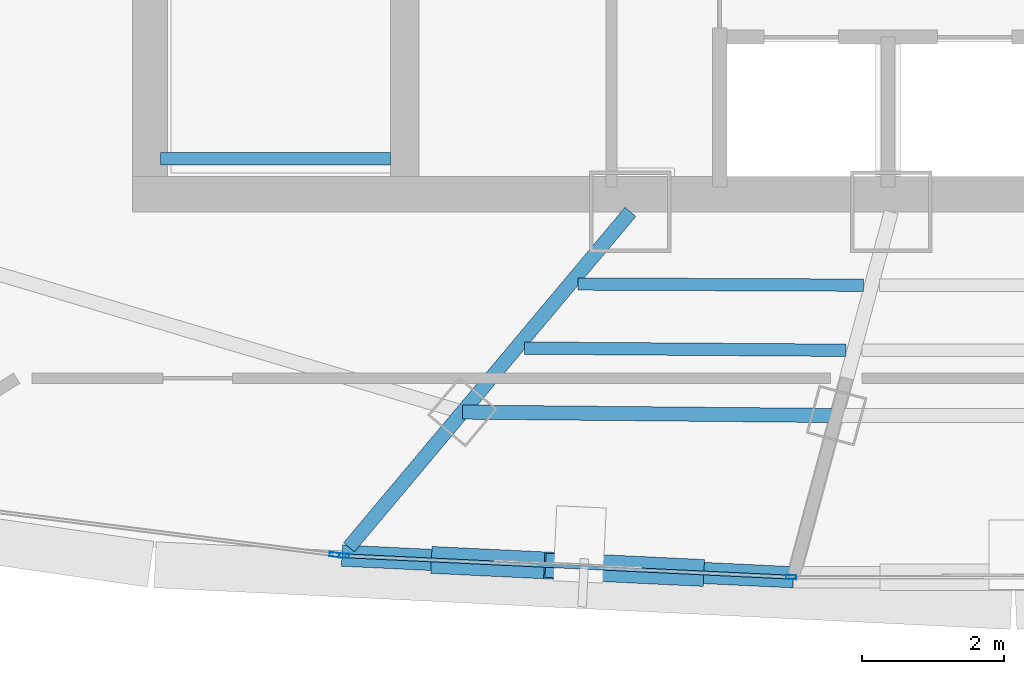
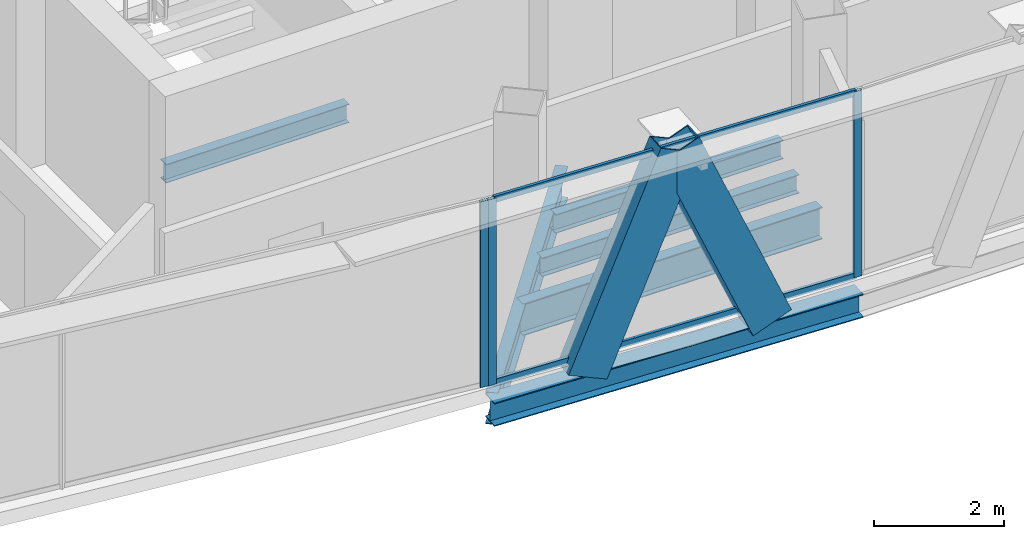
# One storey, part 4 of 30: 7 members, 6 beams, 2 elements without a shape of their own.
"""IFC4 building model written with IfcOpenShell, lengths in metres."""

import ifcopenshell
import ifcopenshell.guid

model = None  # the IFC model being written
_history = None  # IfcOwnerHistory: only IFC2X3 demands one
_inside = {}  # id of a spatial element -> (the spatial element, [elements in it])
_under = {}  # id of a project, library or spatial element -> (it, [spatial elements below it])
_declared = {}  # id of a project -> (the project, [libraries it declares])
_typed = {}  # id of a type object -> (the type object, [elements of that type])
_made_of = {}  # id of a material, layer set ... -> (it, [elements and type objects made of it])


def new_model(schema):
    """Start an empty IFC model of exactly this schema.

    Asked for "IFC4X3", IfcOpenShell would pick the latest addendum, in which some entities
    have other attributes; the version numbers below select the first issue.
    IFC2X3 requires an IfcOwnerHistory on every rooted entity: one is made here for all.
    """
    global model, _history
    if schema == "IFC4X3":
        model = ifcopenshell.file(schema_version=(4, 3, 0, 0))
    else:
        model = ifcopenshell.file(schema=schema)
    _inside.clear()
    _under.clear()
    _declared.clear()
    _typed.clear()
    _made_of.clear()
    _history = None
    if model.schema == "IFC2X3":
        org = make("IfcOrganization", Name="unknown")
        user = make(
            "IfcPersonAndOrganization",
            ThePerson=make("IfcPerson", FamilyName="unknown"),
            TheOrganization=org,
        )
        app = make(
            "IfcApplication",
            ApplicationDeveloper=org,
            Version="unknown",
            ApplicationFullName="unknown",
            ApplicationIdentifier="unknown",
        )
        _history = make(
            "IfcOwnerHistory",
            OwningUser=user,
            OwningApplication=app,
            ChangeAction="ADDED",
            CreationDate=0,
        )
    return model


def make(cls, **values):
    """One entity of the class cls with the attributes given. An attribute that is None is left unset."""
    return model.create_entity(
        cls, **{name: value for name, value in values.items() if value is not None}
    )


def rooted(cls, **values):
    """An entity with a GlobalId (a new one), such as an element, a storey or a relation."""
    return make(cls, GlobalId=ifcopenshell.guid.new(), OwnerHistory=_history, **values)


def si_unit(unit_type, name, prefix=None):
    """IfcSIUnit, for example si_unit("LENGTHUNIT", "METRE", prefix="MILLI")."""
    return make("IfcSIUnit", UnitType=unit_type, Prefix=prefix, Name=name)


def assignment(units):
    """IfcUnitAssignment: the units of a project."""
    return None if units is None else make("IfcUnitAssignment", Units=units)


def point(xyz):
    """IfcCartesianPoint."""
    return None if xyz is None else make("IfcCartesianPoint", Coordinates=xyz)


def direction(xyz):
    """IfcDirection."""
    return None if xyz is None else make("IfcDirection", DirectionRatios=xyz)


def frame(location, z_axis=None, x_axis=None):
    """IfcAxis2Placement3D, a coordinate frame: its origin and axes. An axis left out is left unset."""
    return make(
        "IfcAxis2Placement3D",
        Location=point(location),
        Axis=direction(z_axis),
        RefDirection=direction(x_axis),
    )


def frame_2d(location, x_axis=None):
    """IfcAxis2Placement2D, a coordinate frame in the plane: its origin and x axis."""
    return make(
        "IfcAxis2Placement2D", Location=point(location), RefDirection=direction(x_axis)
    )


def origin():
    """The frame at (0, 0, 0) with its axes left unset."""
    return frame((0.0, 0.0, 0.0))


def origin_2d():
    """The frame at (0, 0) in the plane with its x axis left unset."""
    return frame_2d((0.0, 0.0))


def place(relative_to, where):
    """IfcLocalPlacement: puts the frame where relative to a parent placement (None: the world)."""
    return make(
        "IfcLocalPlacement", PlacementRelTo=relative_to, RelativePlacement=where
    )


def context(
    kind, dimensions, precision=None, world=None, true_north=None, identifier=None
):
    """IfcGeometricRepresentationContext, for example the 3D "Model" context."""
    return make(
        "IfcGeometricRepresentationContext",
        ContextIdentifier=identifier,
        ContextType=kind,
        CoordinateSpaceDimension=dimensions,
        Precision=precision,
        WorldCoordinateSystem=world,
        TrueNorth=true_north,
    )


def subcontext(parent, identifier, kind, view, scale=None):
    """IfcGeometricRepresentationSubContext, for example "Body" below "Model"."""
    return make(
        "IfcGeometricRepresentationSubContext",
        ContextIdentifier=identifier,
        ContextType=kind,
        ParentContext=parent,
        TargetScale=scale,
        TargetView=view,
    )


def project(units=None, contexts=None):
    """IfcProject with its units and contexts."""
    return rooted(
        "IfcProject",
        Name="project",
        RepresentationContexts=contexts,
        UnitsInContext=assignment(units),
    )


def spatial(cls, under=None, at=None, **own):
    """A site, building, storey or space (cls), placed at a placement, below another one or the project."""
    s = rooted(cls, ObjectPlacement=at, **own)
    if under is not None:
        _under.setdefault(under.id(), (under, []))[1].append(s)
    return s


def profile(cls, at=None, kind="AREA", **sizes):
    """A parametric profile (cls). Its sizes go by their IFC names, for example OverallWidth=200.0."""
    return make(cls, ProfileType=kind, Position=at, **sizes)


def hollow_rectangle(**sizes):
    """IfcRectangleHollowProfileDef."""
    return profile("IfcRectangleHollowProfileDef", **sizes)


def i_section(**sizes):
    """IfcIShapeProfileDef."""
    return profile("IfcIShapeProfileDef", **sizes)


def extrude(swept, where, along, depth):
    """IfcExtrudedAreaSolid: the profile swept, set in the frame where, extruded along a direction by depth."""
    return make(
        "IfcExtrudedAreaSolid",
        SweptArea=swept,
        Position=where,
        ExtrudedDirection=direction(along),
        Depth=depth,
    )


def shape(context_of_items, identifier, shape_type, items):
    """IfcShapeRepresentation: the items that make up one representation, for example the "Body"."""
    return make(
        "IfcShapeRepresentation",
        ContextOfItems=context_of_items,
        RepresentationIdentifier=identifier,
        RepresentationType=shape_type,
        Items=items,
    )


def source(mapping_origin, context_of_items, identifier, shape_type, items):
    """IfcRepresentationMap: a shape defined once, which mapped items show again and again."""
    return make(
        "IfcRepresentationMap",
        MappingOrigin=mapping_origin,
        MappedRepresentation=shape(context_of_items, identifier, shape_type, items),
    )


def transform(
    local_origin,
    x_axis=None,
    y_axis=None,
    z_axis=None,
    scale=None,
    scale2=None,
    scale3=None,
    uniform=True,
):
    """IfcCartesianTransformationOperator3D, or its non-uniform kind. x_axis, y_axis, z_axis: its Axis1, 2, 3."""
    if uniform:
        return make(
            "IfcCartesianTransformationOperator3D",
            Axis1=direction(x_axis),
            Axis2=direction(y_axis),
            LocalOrigin=point(local_origin),
            Scale=scale,
            Axis3=direction(z_axis),
        )
    return make(
        "IfcCartesianTransformationOperator3DnonUniform",
        Axis1=direction(x_axis),
        Axis2=direction(y_axis),
        LocalOrigin=point(local_origin),
        Scale=scale,
        Axis3=direction(z_axis),
        Scale2=scale2,
        Scale3=scale3,
    )


def mapped(mapping_source, mapping_target):
    """IfcMappedItem: shows the shape of a source again, moved by a transform."""
    return make(
        "IfcMappedItem", MappingSource=mapping_source, MappingTarget=mapping_target
    )


def material(Name=None, Category=None):
    """IfcMaterial."""
    return make("IfcMaterial", Name=Name, Category=Category)


def layer(
    of_material, thickness, ventilated=None, Name=None, Category=None, Priority=None
):
    """IfcMaterialLayer: one layer of a wall or slab, of a material (None: an air gap)."""
    return make(
        "IfcMaterialLayer",
        Material=of_material,
        LayerThickness=thickness,
        IsVentilated=ventilated,
        Name=Name,
        Category=Category,
        Priority=Priority,
    )


def layer_set(layers, Name=None):
    """IfcMaterialLayerSet."""
    return make("IfcMaterialLayerSet", MaterialLayers=layers, LayerSetName=Name)


def material_profile(
    of_material, cross_section, Name=None, Category=None, Priority=None
):
    """IfcMaterialProfile: a cross section and its material."""
    return make(
        "IfcMaterialProfile",
        Name=Name,
        Material=of_material,
        Profile=cross_section,
        Priority=Priority,
        Category=Category,
    )


def profile_set(profiles, Name=None, composite=None):
    """IfcMaterialProfileSet."""
    return make(
        "IfcMaterialProfileSet",
        Name=Name,
        MaterialProfiles=profiles,
        CompositeProfile=composite,
    )


def made_of(thing, what):
    """Note that an element or type object is made of a material, layer set ...; save() writes the relation."""
    if what is not None:
        _made_of.setdefault(what.id(), (what, []))[1].append(thing)
    return thing


def type_object(cls, material=None, **own):
    """A type object (cls), such as IfcWallType, which elements share."""
    return made_of(rooted(cls, **own), material)


def element(
    cls,
    number,
    at=None,
    inside=None,
    cuts=None,
    type_object=None,
    material=None,
    context=None,
    identifier="Body",
    shape_type=None,
    held_by="IfcProductDefinitionShape",
    body=None,
    shapes=None,
    **own,
):
    """One element of the class cls, such as IfcWall. Its Tag is "e" and its number.

    at: its placement. inside: the storey or other place that contains it. cuts: it is an
    opening in that element (IfcRelVoidsElement). A single representation is given by context,
    identifier, shape_type and body (its items); several are given by shapes. held_by: the class
    of the entity that holds the representations. save() writes the other relations.
    """
    e = rooted(cls, Tag="e%d" % number, ObjectPlacement=at, **own)
    if body is not None:
        shapes = [shape(context, identifier, shape_type, body)]
    if shapes is not None:
        e.Representation = make(held_by, Representations=shapes)
    if inside is not None:
        _inside.setdefault(inside.id(), (inside, []))[1].append(e)
    if cuts is not None:
        rooted(
            "IfcRelVoidsElement", RelatingBuildingElement=cuts, RelatedOpeningElement=e
        )
    if type_object is not None:
        _typed.setdefault(type_object.id(), (type_object, []))[1].append(e)
    return made_of(e, material)


def aggregate(whole, parts):
    """IfcRelAggregates: a whole, such as a stair, and the parts it consists of."""
    return rooted("IfcRelAggregates", RelatingObject=whole, RelatedObjects=parts)


def save(model, path):
    """Write the relations noted so far, then the file.

    IfcRelAggregates (storeys below a building ...), IfcRelContainedInSpatialStructure (elements
    in a storey), IfcRelDefinesByType, IfcRelAssociatesMaterial and IfcRelDeclares: one each for
    every whole, place, type object, material and project.
    """
    for whole, parts in _under.values():
        aggregate(whole, parts)
    for where, things in _inside.values():
        rooted(
            "IfcRelContainedInSpatialStructure",
            RelatedElements=things,
            RelatingStructure=where,
        )
    for kind, things in _typed.values():
        rooted("IfcRelDefinesByType", RelatedObjects=things, RelatingType=kind)
    for what, things in _made_of.values():
        rooted("IfcRelAssociatesMaterial", RelatedObjects=things, RelatingMaterial=what)
    for by, libraries in _declared.values():
        rooted("IfcRelDeclares", RelatingContext=by, RelatedDefinitions=libraries)
    model.write(path)


model = new_model("IFC4")

# Units and contexts
model_context = context("Model", 3, precision=1e-05, world=origin(), true_north=direction((0.0, 1.0)))
body_context = subcontext(model_context, "Body", "Model", "MODEL_VIEW")
ifc_project = project(units=[si_unit("LENGTHUNIT", "METRE"), si_unit("AREAUNIT", "SQUARE_METRE"), si_unit("VOLUMEUNIT", "CUBIC_METRE"), si_unit("PLANEANGLEUNIT", "RADIAN"), si_unit("MASSUNIT", "GRAM", prefix="KILO"), si_unit("THERMODYNAMICTEMPERATUREUNIT", "KELVIN"), si_unit("POWERUNIT", "WATT")], contexts=[model_context])

# Site, building, storey
site_placement = place(None, origin())
site = spatial("IfcSite", under=ifc_project, at=site_placement, CompositionType="ELEMENT")
building_placement = place(site_placement, origin())
building = spatial("IfcBuilding", under=site, at=building_placement, Name="Yunzhuo Pagoda Commons", CompositionType="ELEMENT")
storey_placement = place(building_placement, frame((0.0, 0.0, 355.510009765625)))
storey = spatial("IfcBuildingStorey", under=building, at=storey_placement, Name="L89", CompositionType="ELEMENT", Elevation=355.510009765625)

# Beams
ifc_material_1 = material(Name="Structural steel Q355B", Category="steel")
ifc_material_profile_1 = material_profile(ifc_material_1, i_section(OverallWidth=0.175048828125, OverallDepth=0.35009765625, WebThickness=0.007080078125, FlangeThickness=0.010986328125, at=origin_2d()), Name="Structural steel Q355B")
ifc_profile_set_1 = profile_set([ifc_material_profile_1], Name="Structural steel Q355B")
beam_type_1 = type_object("IfcBeamType", Name="B-JS2 Joist HN 350x175x7x11", PredefinedType="JOIST", material=ifc_profile_set_1)
shared_shape_1 = source(origin(), body_context, "Body", "SweptSolid", [
    extrude(i_section(OverallWidth=0.175048828125, OverallDepth=0.35009765625, WebThickness=0.007080078125, FlangeThickness=0.010986328125, at=origin_2d()), origin(), (0.0, 0.0, 1.0), 3.25),
])
beam_1_placement = place(storey_placement, frame((35.949951171875, 28.0, 1.5), z_axis=(1.0, 0.0, 0.0), x_axis=(0.0, 1.0, 0.0)))
element("IfcBeam", 1, at=beam_1_placement, inside=storey, type_object=beam_type_1, Name="L89 ST1 landing support beam 95A", PredefinedType="JOIST", context=body_context, shape_type="MappedRepresentation", body=[
    mapped(shared_shape_1, transform((0.0, 0.0, 0.0), scale=1.0)),
])
ifc_material_profile_2 = material_profile(ifc_material_1, i_section(OverallWidth=0.199951171875, OverallDepth=0.60009765625, WebThickness=0.010986328125, FlangeThickness=0.01708984375, at=origin_2d()), Name="Structural steel Q355B")
ifc_profile_set_2 = profile_set([ifc_material_profile_2], Name="Structural steel Q355B")
beam_type_2 = type_object("IfcBeamType", Name="B-RG3 Beam HN 600x200x11x17", PredefinedType="BEAM", material=ifc_profile_set_2)
shared_shape_2 = source(origin(), body_context, "Body", "SweptSolid", [
    extrude(i_section(OverallWidth=0.199951171875, OverallDepth=0.60009765625, WebThickness=0.010986328125, FlangeThickness=0.01708984375, at=origin_2d()), origin(), (0.0, 0.0, 1.0), 5.286376953125),
])
beam_2_placement = place(storey_placement, frame((40.214599609375, 24.421630859375, -0.56005859375), z_axis=(0.999957341442, -0.009236627946, 0.0), x_axis=(0.009236627946, 0.999957341442, 0.0)))
element("IfcBeam", 2, at=beam_2_placement, inside=storey, type_object=beam_type_2, Name="L89 column-ring beam 1", PredefinedType="BEAM", context=body_context, shape_type="MappedRepresentation", body=[
    mapped(shared_shape_2, transform((0.0, 0.0, 0.0), scale=1.0)),
])
shared_shape_3 = source(origin(), body_context, "Body", "SweptSolid", [
    extrude(i_section(OverallWidth=0.175048828125, OverallDepth=0.35009765625, WebThickness=0.007080078125, FlangeThickness=0.010986328125, at=origin_2d()), origin(), (0.0, 0.0, 1.0), 4.03076171875),
])
beam_3_placement = place(storey_placement, frame((41.848388671875, 26.231201171875, -0.43505859375), z_axis=(0.999991518197, -0.004118680996, 0.0), x_axis=(0.004118680996, 0.999991518197, 0.0)))
element("IfcBeam", 3, at=beam_3_placement, inside=storey, type_object=beam_type_1, Name="L89 composite ring joist 1.1", PredefinedType="JOIST", context=body_context, shape_type="MappedRepresentation", body=[
    mapped(shared_shape_3, transform((0.0, 0.0, 0.0), scale=1.0)),
])
shared_shape_4 = source(origin(), body_context, "Body", "SweptSolid", [
    extrude(i_section(OverallWidth=0.175048828125, OverallDepth=0.35009765625, WebThickness=0.007080078125, FlangeThickness=0.010986328125, at=origin_2d()), origin(), (0.0, 0.0, 1.0), 4.54345703125),
])
beam_4_placement = place(storey_placement, frame((41.089111328125, 25.325927734375, -0.43505859375), z_axis=(0.999975976237, -0.006931590593, 0.0), x_axis=(0.006931590593, 0.999975976237, 0.0)))
element("IfcBeam", 4, at=beam_4_placement, inside=storey, type_object=beam_type_1, Name="L89 composite ring joist 2.1", PredefinedType="JOIST", context=body_context, shape_type="MappedRepresentation", body=[
    mapped(shared_shape_4, transform((0.0, 0.0, 0.0), scale=1.0)),
])
shared_shape_5 = source(origin(), body_context, "Body", "SweptSolid", [
    extrude(i_section(OverallWidth=0.199951171875, OverallDepth=0.60009765625, WebThickness=0.010986328125, FlangeThickness=0.01708984375, at=origin_2d()), origin(), (0.0, 0.0, 1.0), 6.18505859375),
])
beam_5_placement = place(storey_placement, frame((38.6123046875, 22.511962890625, -0.56005859375), z_axis=(0.642778192614, 0.766052344882, 0.0), x_axis=(-0.766052344882, 0.642778192614, 0.0)))
element("IfcBeam", 5, at=beam_5_placement, inside=storey, type_object=beam_type_2, Name="L89 radial floor girder F1C1", PredefinedType="BEAM", context=body_context, shape_type="MappedRepresentation", body=[
    mapped(shared_shape_5, transform((0.0, 0.0, 0.0), scale=1.0)),
])
ifc_material_profile_3 = material_profile(ifc_material_1, i_section(OverallWidth=0.300048828125, OverallDepth=0.43994140625, WebThickness=0.010986328125, FlangeThickness=0.01806640625, at=origin_2d()), Name="Structural steel Q355B")
ifc_profile_set_3 = profile_set([ifc_material_profile_3], Name="Structural steel Q355B")
beam_type_3 = type_object("IfcBeamType", Name="B-SP2 Beam HM 440x300x11x18", PredefinedType="BEAM", material=ifc_profile_set_3)
shared_shape_6 = source(origin(), body_context, "Body", "SweptSolid", [
    extrude(i_section(OverallWidth=0.300048828125, OverallDepth=0.43994140625, WebThickness=0.010986328125, FlangeThickness=0.01806640625, at=origin_2d()), origin(), (0.0, 0.0, 1.0), 6.38330078125),
])
beam_6_placement = place(storey_placement, frame((38.512451171875, 22.3935546875, -0.47998046875), z_axis=(0.998852857038, -0.04788496619, 0.0), x_axis=(0.04788496619, 0.998852857038, 0.0)))
element("IfcBeam", 6, at=beam_6_placement, inside=storey, type_object=beam_type_3, Name="L89 facade edge spandrel beam F1.1", PredefinedType="BEAM", context=body_context, shape_type="MappedRepresentation", body=[
    mapped(shared_shape_6, transform((0.0, 0.0, 0.0), scale=1.0)),
])

# Members
ifc_material_profile_4 = material_profile(ifc_material_1, hollow_rectangle(XDim=0.3798828125, YDim=0.719970703125, WallThickness=0.02001953125, at=origin_2d()), Name="Structural steel Q355B")
ifc_profile_set_4 = profile_set([ifc_material_profile_4], Name="Structural steel Q355B")
member_type_1 = type_object("IfcMemberType", Name="M-DL3 Brace BOX 720x380x20", PredefinedType="BRACE", material=ifc_profile_set_4)
shared_shape_7 = source(origin(), body_context, "Body", "SweptSolid", [
    extrude(hollow_rectangle(XDim=0.3798828125, YDim=0.719970703125, WallThickness=0.02001953125, at=origin_2d()), origin(), (0.0, 0.0, 1.0), 4.075439453125),
])
for number, where, z_axis, x_axis, name in (
    (7, (40.1064453125, 22.317138671875, -0.260009765625), (0.391173355517, -0.018749963289, 0.920125993987), (0.047877649927, 0.998853207752, 0.0), "L89 facade diamond brace F1.1L"),
    (8, (43.29443359375, 22.164306640625, -0.260009765625), (-0.391071872934, 0.018750841947, 0.920169112786), (-0.047892284686, -0.998852506163, 0.0), "L89 facade diamond brace F1.1R"),
):
    element("IfcMember", number, at=place(storey_placement, frame(where, z_axis=z_axis, x_axis=x_axis)), inside=storey, type_object=member_type_1, Name=name, PredefinedType="BRACE", context=body_context, shape_type="MappedRepresentation", body=[
        mapped(shared_shape_7, transform((0.0, 0.0, 0.0), scale=1.0)),
    ])

# Curtain wall, members
ifc_material_2 = material(Name="Anodized aluminium 6063-T6", Category="aluminium")
ifc_layer = layer(ifc_material_2, 0.139892578125)
ifc_layer_set = layer_set([ifc_layer], Name="Anodized aluminium 6063-T6")
curtain_wall_type = type_object("IfcCurtainWallType", Name="CW-HI High-Zone Ribbon Curtain Wall", PredefinedType="NOTDEFINED", material=ifc_layer_set)
curtain_wall_1_placement = place(storey_placement, origin())
curtain_wall_1 = element("IfcCurtainWall", 9, at=curtain_wall_1_placement, inside=storey, type_object=curtain_wall_type, Name="L89 curtain wall CW-L89-F1B2", PredefinedType="NOTDEFINED")
ifc_material_profile_5 = material_profile(ifc_material_2, hollow_rectangle(XDim=0.06005859375, YDim=0.139892578125, WallThickness=0.00341796875, at=origin_2d()), Name="Anodized aluminium 6063-T6")
ifc_profile_set_5 = profile_set([ifc_material_profile_5], Name="Anodized aluminium 6063-T6")
member_type_2 = type_object("IfcMemberType", Name="CW-HI-M Mullion RHS 140x60x3.5", PredefinedType="MULLION", material=ifc_profile_set_5)
shared_shape_8 = source(origin(), body_context, "Body", "SweptSolid", [
    extrude(hollow_rectangle(XDim=0.06005859375, YDim=0.139892578125, WallThickness=0.00341796875, at=origin_2d()), origin(), (0.0, 0.0, 1.0), 3.489990234375),
])
member_1_placement = place(storey_placement, frame((38.542724609375, 22.391845703125, 0.0), z_axis=(0.0, 0.0, 1.0), x_axis=(0.047859147719, 0.99885409444, 0.0)))
member_1 = element("IfcMember", 10, at=member_1_placement, type_object=member_type_2, Name="CW mullion 1", PredefinedType="MULLION", context=body_context, shape_type="MappedRepresentation", body=[
    mapped(shared_shape_8, transform((0.0, 0.0, 0.0), scale=1.0)),
])
member_2_placement = place(storey_placement, frame((44.858642578125, 22.089111328125, 0.0), z_axis=(0.0, 0.0, 1.0), x_axis=(0.047859147719, 0.99885409444, 0.0)))
member_2 = element("IfcMember", 11, at=member_2_placement, type_object=member_type_2, Name="CW mullion 2", PredefinedType="MULLION", context=body_context, shape_type="MappedRepresentation", body=[
    mapped(shared_shape_8, transform((0.0, 0.0, 0.0), scale=1.0)),
])

# Curtain wall, member
curtain_wall_2_placement = place(storey_placement, origin())
curtain_wall_2 = element("IfcCurtainWall", 12, at=curtain_wall_2_placement, inside=storey, type_object=curtain_wall_type, Name="L89 curtain wall CW-L89-F1B1", PredefinedType="NOTDEFINED")
member_3_placement = place(storey_placement, frame((38.408447265625, 22.406494140625, 0.0), z_axis=(0.0, 0.0, 1.0), x_axis=(0.126570661327, 0.991957593696, 0.0)))
member_3 = element("IfcMember", 13, at=member_3_placement, type_object=member_type_2, Name="CW mullion 2", PredefinedType="MULLION", context=body_context, shape_type="MappedRepresentation", body=[
    mapped(shared_shape_8, transform((0.0, 0.0, 0.0), scale=1.0)),
])
aggregate(curtain_wall_2, [member_3])

# Member
ifc_material_profile_6 = material_profile(ifc_material_2, hollow_rectangle(XDim=0.054931640625, YDim=0.1201171875, WallThickness=0.00341796875, at=origin_2d()), Name="Anodized aluminium 6063-T6")
ifc_profile_set_6 = profile_set([ifc_material_profile_6], Name="Anodized aluminium 6063-T6")
member_type_3 = type_object("IfcMemberType", Name="CW-HI-T Transom RHS 120x55x3.5", PredefinedType="USERDEFINED", material=ifc_profile_set_6)
shared_shape_9 = source(origin(), body_context, "Body", "SweptSolid", [
    extrude(hollow_rectangle(XDim=0.054931640625, YDim=0.1201171875, WallThickness=0.00341796875, at=origin_2d()), origin(), (0.0, 0.0, 1.0), 6.26318359375),
])
member_4_placement = place(storey_placement, frame((38.572509765625, 22.390380859375, 0.027587890625), z_axis=(0.998853717259, -0.047867019114, 0.0), x_axis=(0.047867019114, 0.998853717259, 0.0)))
member_4 = element("IfcMember", 14, at=member_4_placement, type_object=member_type_3, Name="CW transom 1.1", ObjectType="TRANSOM", PredefinedType="USERDEFINED", context=body_context, shape_type="MappedRepresentation", body=[
    mapped(shared_shape_9, transform((0.0, 0.0, 0.0), scale=1.0)),
])

member_5_placement = place(storey_placement, frame((38.572509765625, 22.390380859375, 3.46240234375), z_axis=(0.998853717259, -0.047867019114, 0.0), x_axis=(0.047867019114, 0.998853717259, 0.0)))
member_5 = element("IfcMember", 15, at=member_5_placement, type_object=member_type_3, Name="CW transom 1.2", ObjectType="TRANSOM", PredefinedType="USERDEFINED", context=body_context, shape_type="MappedRepresentation", body=[
    mapped(shared_shape_9, transform((0.0, 0.0, 0.0), scale=1.0)),
])

aggregate(curtain_wall_1, [member_1, member_2, member_4, member_5])

save(model, "model.ifc")
